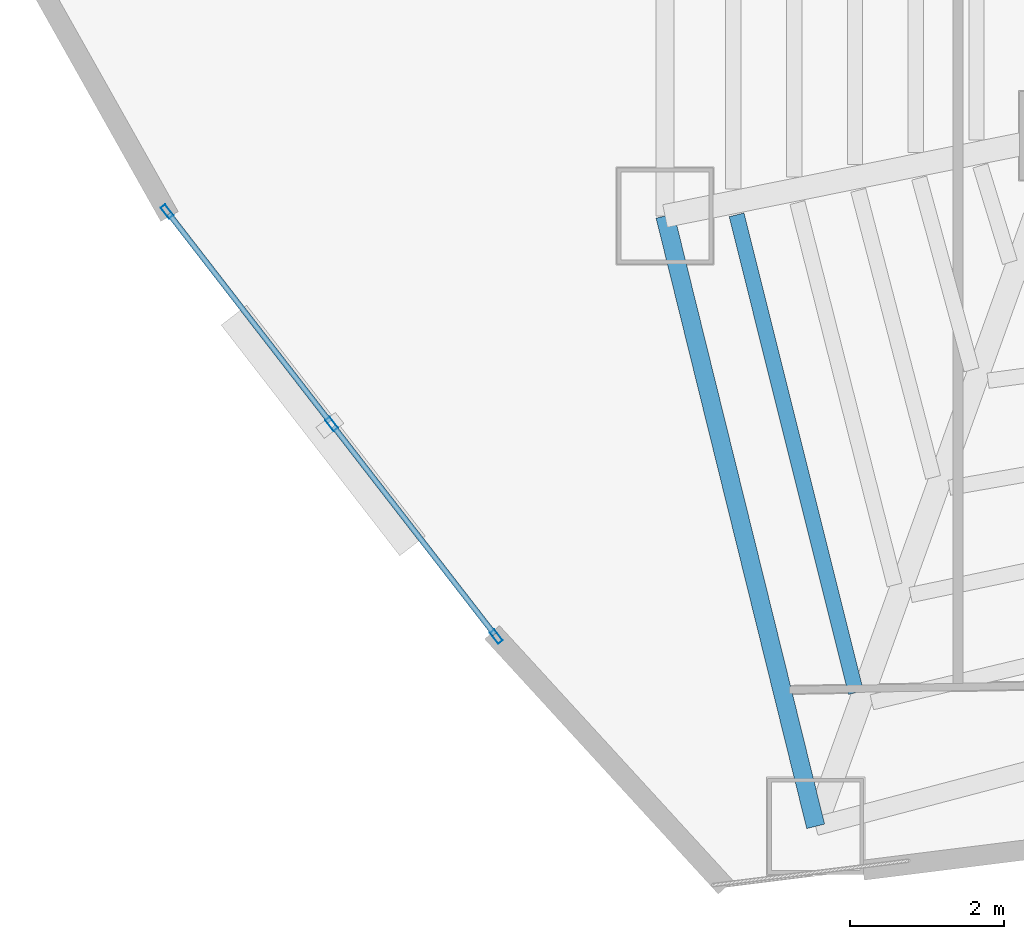
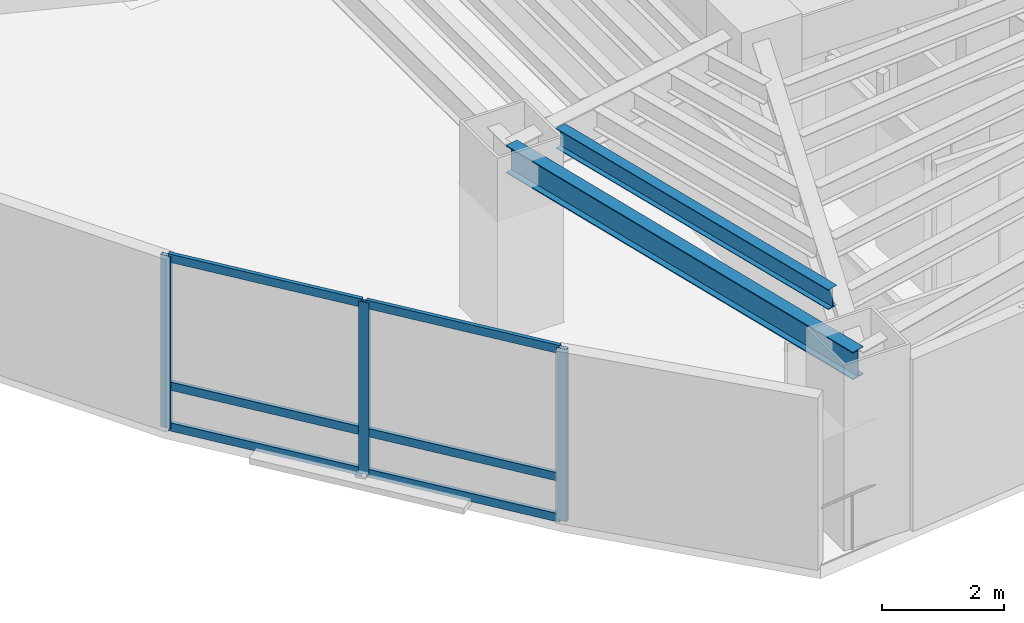
# One storey, part 3 of 25: 9 members, 2 beams, 1 element without a shape of its own.
"""IFC4 building model written with IfcOpenShell, lengths in metres."""

from ifc_helpers import new_model, si_unit, direction, frame, origin, origin_2d, place, context, subcontext, project, spatial, hollow_rectangle, i_section, extrude, material, layer, layer_set, material_profile, profile_set, type_object, element, aggregate, save


model = new_model("IFC4")

# Units and contexts
model_context = context("Model", 3, precision=1e-05, world=origin(), true_north=direction((0.0, 1.0)))
body_context = subcontext(model_context, "Body", "Model", "MODEL_VIEW")
ifc_project = project(units=[si_unit("LENGTHUNIT", "METRE"), si_unit("AREAUNIT", "SQUARE_METRE"), si_unit("VOLUMEUNIT", "CUBIC_METRE"), si_unit("PLANEANGLEUNIT", "RADIAN"), si_unit("MASSUNIT", "GRAM", prefix="KILO")], contexts=[model_context])

# Site, building, storey
site_placement = place(None, origin())
site = spatial("IfcSite", under=ifc_project, at=site_placement, CompositionType="ELEMENT")
building_placement = place(site_placement, origin())
building = spatial("IfcBuilding", under=site, at=building_placement, Name="Menara Vayukalpa", CompositionType="ELEMENT")
storey_placement = place(building_placement, frame((0.0, 0.0, 115.139892578125)))
storey = spatial("IfcBuildingStorey", under=building, at=storey_placement, Name="L28", CompositionType="ELEMENT", Elevation=115.139892578125)

# Beams
ifc_material_1 = material(Name="Steel S355", Category="steel")
ifc_material_profile_1 = material_profile(ifc_material_1, i_section(OverallWidth=0.199951171875, OverallDepth=0.39990234375, WebThickness=0.008056640625, FlangeThickness=0.012939453125, at=origin_2d()), Name="WF 400x200x8x13")
ifc_profile_set_1 = profile_set([ifc_material_profile_1], Name="Steel S355")
beam_type_1 = type_object("IfcBeamType", Name="BM-SJ2", PredefinedType="JOIST", material=ifc_profile_set_1)
beam_1_placement = place(storey_placement, frame((13.53857421875, 16.168701171875, 3.239990234375), z_axis=(0.242481900969, -0.970155929582, 0.0), x_axis=(0.970155929582, 0.242481900969, 0.0)))
element("IfcBeam", 1, at=beam_1_placement, inside=storey, type_object=beam_type_1, Name="L28 Secondary Floor Joist SJ06-5", PredefinedType="JOIST", context=body_context, shape_type="SweptSolid", body=[
    extrude(i_section(OverallWidth=0.199951171875, OverallDepth=0.39990234375, WebThickness=0.008056640625, FlangeThickness=0.012939453125, at=origin_2d()), origin(), (0.0, 0.0, 1.0), 6.41552734375),
])
ifc_material_2 = material(Name="Steel S355", Category="steel")
ifc_material_profile_2 = material_profile(ifc_material_2, i_section(OverallWidth=0.239990234375, OverallDepth=0.550048828125, WebThickness=0.010986328125, FlangeThickness=0.01904296875, at=origin_2d()), Name="WF 550x240x11x19")
ifc_profile_set_2 = profile_set([ifc_material_profile_2], Name="Steel S355")
beam_type_2 = type_object("IfcBeamType", Name="BM-SP2", PredefinedType="SPANDREL", material=ifc_profile_set_2)
beam_2_placement = place(storey_placement, frame((12.606689453125, 16.154296875, 3.1650390625), z_axis=(0.239602739234, -0.970871014786, 0.0), x_axis=(0.970871014786, 0.239602739234, 0.0)))
element("IfcBeam", 2, at=beam_2_placement, inside=storey, type_object=beam_type_2, Name="L28 Perimeter Spandrel Beam SP06", PredefinedType="SPANDREL", context=body_context, shape_type="SweptSolid", body=[
    extrude(i_section(OverallWidth=0.239990234375, OverallDepth=0.550048828125, WebThickness=0.010986328125, FlangeThickness=0.01904296875, at=origin_2d()), origin(), (0.0, 0.0, 1.0), 8.190185546875),
])

# Curtain wall, members
ifc_material_3 = material(Name="Anodised Terracotta Aluminium Alloy 6063-T6", Category="masonry")
ifc_layer = layer(ifc_material_3, 0.179931640625)
ifc_layer_set = layer_set([ifc_layer], Name="Anodised Terracotta Aluminium Alloy 6063-T6")
curtain_wall_type = type_object("IfcCurtainWallType", Name="CW-CW4", PredefinedType="USERDEFINED", material=ifc_layer_set)
curtain_wall_placement = place(storey_placement, origin())
curtain_wall = element("IfcCurtainWall", 3, at=curtain_wall_placement, inside=storey, type_object=curtain_wall_type, Name="L28 Sky Bar Cantilever Glazed Curtain Wall CW4 13", ObjectType="UNITISED", PredefinedType="USERDEFINED")
ifc_material_4 = material(Name="Anodised Terracotta Aluminium Alloy 6063-T6", Category="masonry")
ifc_material_profile_3 = material_profile(ifc_material_4, hollow_rectangle(XDim=0.074951171875, YDim=0.179931640625, WallThickness=0.00390625, at=origin_2d()), Name="ALU 75x180x4")
ifc_profile_set_3 = profile_set([ifc_material_profile_3], Name="Anodised Terracotta Aluminium Alloy 6063-T6")
member_type_1 = type_object("IfcMemberType", Name="CWM-CW4", PredefinedType="MULLION", material=ifc_profile_set_3)
member_1_placement = place(storey_placement, frame((6.11962890625, 16.21337890625, 0.0), z_axis=(0.0, 0.0, 1.0), x_axis=(0.790711577857, 0.612188860273, 0.0)))
member_1 = element("IfcMember", 4, at=member_1_placement, type_object=member_type_1, Name="CW4 mullion 1", PredefinedType="MULLION", context=body_context, shape_type="SweptSolid", body=[
    extrude(hollow_rectangle(XDim=0.074951171875, YDim=0.179931640625, WallThickness=0.00390625, at=origin_2d()), origin(), (0.0, 0.0, 1.0), 3.440185546875),
])
member_2_placement = place(storey_placement, frame((8.263916015625, 13.44384765625, 0.0), z_axis=(0.0, 0.0, 1.0), x_axis=(0.790711577857, 0.612188860273, 0.0)))
member_2 = element("IfcMember", 5, at=member_2_placement, type_object=member_type_1, Name="CW4 mullion 2", PredefinedType="MULLION", context=body_context, shape_type="SweptSolid", body=[
    extrude(hollow_rectangle(XDim=0.074951171875, YDim=0.179931640625, WallThickness=0.00390625, at=origin_2d()), origin(), (0.0, 0.0, 1.0), 3.440185546875),
])
member_3_placement = place(storey_placement, frame((10.408203125, 10.67431640625, 0.0), z_axis=(0.0, 0.0, 1.0), x_axis=(0.790711577857, 0.612188860273, 0.0)))
member_3 = element("IfcMember", 6, at=member_3_placement, type_object=member_type_1, Name="CW4 mullion 3", PredefinedType="MULLION", context=body_context, shape_type="SweptSolid", body=[
    extrude(hollow_rectangle(XDim=0.074951171875, YDim=0.179931640625, WallThickness=0.00390625, at=origin_2d()), origin(), (0.0, 0.0, 1.0), 3.440185546875),
])
ifc_material_5 = material(Name="Anodised Terracotta Aluminium Alloy 6063-T6", Category="masonry")
ifc_material_profile_4 = material_profile(ifc_material_5, hollow_rectangle(XDim=0.070068359375, YDim=0.1650390625, WallThickness=0.00390625, at=origin_2d()), Name="ALU 70x165x4")
ifc_profile_set_4 = profile_set([ifc_material_profile_4], Name="Anodised Terracotta Aluminium Alloy 6063-T6")
member_type_2 = type_object("IfcMemberType", Name="CWT-CW4", PredefinedType="USERDEFINED", material=ifc_profile_set_4)
member_4_placement = place(storey_placement, frame((6.142578125, 16.183837890625, 0.03515625), z_axis=(0.612168883407, -0.790727044047, 0.0), x_axis=(0.790727044047, 0.612168883407, 0.0)))
member_4 = element("IfcMember", 7, at=member_4_placement, type_object=member_type_2, Name="CW4 transom 1.1", ObjectType="TRANSOM", PredefinedType="USERDEFINED", context=body_context, shape_type="SweptSolid", body=[
    extrude(hollow_rectangle(XDim=0.070068359375, YDim=0.1650390625, WallThickness=0.00390625, at=origin_2d()), origin(), (0.0, 0.0, 1.0), 3.427734375),
])
member_5_placement = place(storey_placement, frame((6.142578125, 16.183837890625, 0.85009765625), z_axis=(0.612168883407, -0.790727044047, 0.0), x_axis=(0.790727044047, 0.612168883407, 0.0)))
member_5 = element("IfcMember", 8, at=member_5_placement, type_object=member_type_2, Name="CW4 transom 1.2", ObjectType="TRANSOM", PredefinedType="USERDEFINED", context=body_context, shape_type="SweptSolid", body=[
    extrude(hollow_rectangle(XDim=0.070068359375, YDim=0.1650390625, WallThickness=0.00390625, at=origin_2d()), origin(), (0.0, 0.0, 1.0), 3.427734375),
])
member_6_placement = place(storey_placement, frame((6.142578125, 16.183837890625, 3.405029296875), z_axis=(0.612168883407, -0.790727044047, 0.0), x_axis=(0.790727044047, 0.612168883407, 0.0)))
member_6 = element("IfcMember", 9, at=member_6_placement, type_object=member_type_2, Name="CW4 transom 1.3", ObjectType="TRANSOM", PredefinedType="USERDEFINED", context=body_context, shape_type="SweptSolid", body=[
    extrude(hollow_rectangle(XDim=0.070068359375, YDim=0.1650390625, WallThickness=0.00390625, at=origin_2d()), origin(), (0.0, 0.0, 1.0), 3.427734375),
])
member_7_placement = place(storey_placement, frame((8.286865234375, 13.414306640625, 0.03515625), z_axis=(0.612168883407, -0.790727044047, 0.0), x_axis=(0.790727044047, 0.612168883407, 0.0)))
member_7 = element("IfcMember", 10, at=member_7_placement, type_object=member_type_2, Name="CW4 transom 2.1", ObjectType="TRANSOM", PredefinedType="USERDEFINED", context=body_context, shape_type="SweptSolid", body=[
    extrude(hollow_rectangle(XDim=0.070068359375, YDim=0.1650390625, WallThickness=0.00390625, at=origin_2d()), origin(), (0.0, 0.0, 1.0), 3.427734375),
])
member_8_placement = place(storey_placement, frame((8.286865234375, 13.414306640625, 0.85009765625), z_axis=(0.612168883407, -0.790727044047, 0.0), x_axis=(0.790727044047, 0.612168883407, 0.0)))
member_8 = element("IfcMember", 11, at=member_8_placement, type_object=member_type_2, Name="CW4 transom 2.2", ObjectType="TRANSOM", PredefinedType="USERDEFINED", context=body_context, shape_type="SweptSolid", body=[
    extrude(hollow_rectangle(XDim=0.070068359375, YDim=0.1650390625, WallThickness=0.00390625, at=origin_2d()), origin(), (0.0, 0.0, 1.0), 3.427734375),
])
member_9_placement = place(storey_placement, frame((8.286865234375, 13.414306640625, 3.405029296875), z_axis=(0.612168883407, -0.790727044047, 0.0), x_axis=(0.790727044047, 0.612168883407, 0.0)))
member_9 = element("IfcMember", 12, at=member_9_placement, type_object=member_type_2, Name="CW4 transom 2.3", ObjectType="TRANSOM", PredefinedType="USERDEFINED", context=body_context, shape_type="SweptSolid", body=[
    extrude(hollow_rectangle(XDim=0.070068359375, YDim=0.1650390625, WallThickness=0.00390625, at=origin_2d()), origin(), (0.0, 0.0, 1.0), 3.427734375),
])
aggregate(curtain_wall, [member_1, member_2, member_3, member_4, member_5, member_6, member_7, member_8, member_9])

save(model, "model.ifc")
